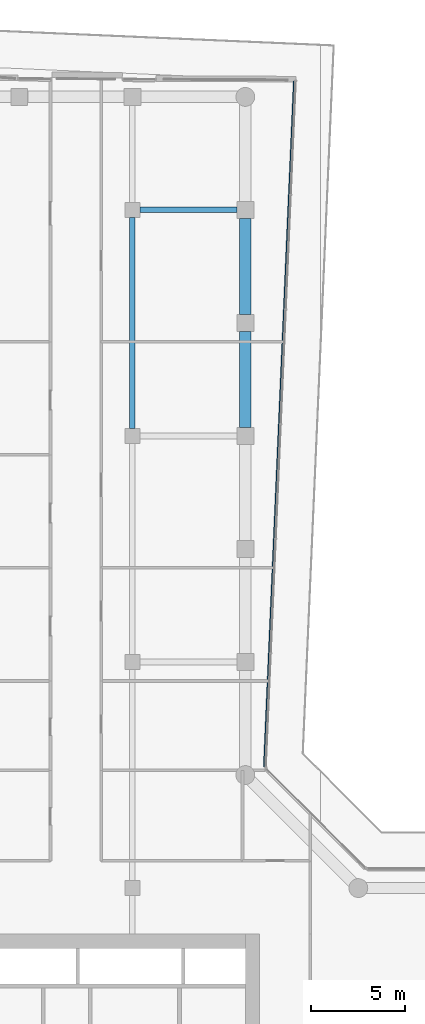
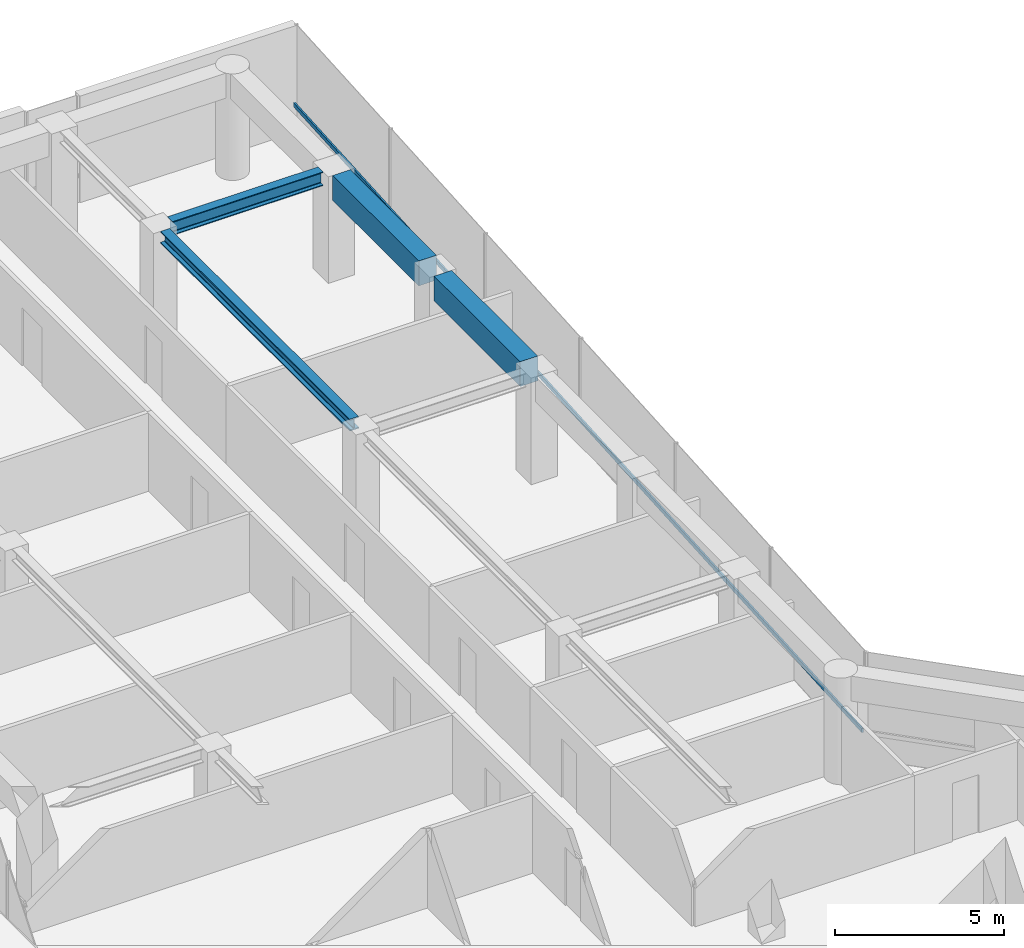
# One storey, part 16 of 25: 4 beams, 1 member, 1 element without a shape of its own.
"""IFC4 building model written with IfcOpenShell, lengths in metres."""

from ifc_helpers import new_model, si_unit, direction, frame, origin, origin_2d, place, context, subcontext, project, spatial, rectangle, i_section, extrude, material, layer, layer_set, material_profile, profile_set, type_object, element, aggregate, save


model = new_model("IFC4")

# Units and contexts
model_context = context("Model", 3, precision=1e-05, world=origin(), true_north=direction((0.0, 1.0)))
body_context = subcontext(model_context, "Body", "Model", "MODEL_VIEW")
ifc_project = project(units=[si_unit("LENGTHUNIT", "METRE"), si_unit("AREAUNIT", "SQUARE_METRE"), si_unit("VOLUMEUNIT", "CUBIC_METRE"), si_unit("PLANEANGLEUNIT", "RADIAN"), si_unit("MASSUNIT", "GRAM", prefix="KILO")], contexts=[model_context])

# Site, building, storey
site_placement = place(None, origin())
site = spatial("IfcSite", under=ifc_project, at=site_placement, CompositionType="ELEMENT")
building_placement = place(site_placement, origin())
building = spatial("IfcBuilding", under=site, at=building_placement, Name="Welwitschia Terrace Campus", CompositionType="ELEMENT")
storey_placement = place(building_placement, frame((0.0, 0.0, 121.39990234375)))
storey = spatial("IfcBuildingStorey", under=building, at=storey_placement, Name="L27", CompositionType="ELEMENT", Elevation=121.39990234375)

# Beams
ifc_material_1 = material(Name="Steel S355", Category="steel")
ifc_material_profile_1 = material_profile(ifc_material_1, i_section(OverallWidth=0.306884765625, OverallDepth=0.431884765625, WebThickness=0.02099609375, FlangeThickness=0.0400390625, FilletRadius=0.027099609375, at=origin_2d()))
ifc_profile_set_1 = profile_set([ifc_material_profile_1], Name="Steel S355")
beam_type_1 = type_object("IfcBeamType", Name="Interior girder HE 400 M", PredefinedType="BEAM", material=ifc_profile_set_1)
beam_1_placement = place(storey_placement, frame((18.0, 52.400390625, 3.634033203125), z_axis=(0.0, 1.0, 0.0), x_axis=(-1.0, 0.0, 0.0)))
element("IfcBeam", 1, at=beam_1_placement, inside=storey, type_object=beam_type_1, Name="Girder GB3", PredefinedType="BEAM", context=body_context, shape_type="SweptSolid", body=[
    extrude(i_section(OverallWidth=0.306884765625, OverallDepth=0.431884765625, WebThickness=0.02099609375, FlangeThickness=0.0400390625, FilletRadius=0.027099609375, at=origin_2d()), origin(), (0.0, 0.0, 1.0), 11.19921875),
])
ifc_material_2 = material(Name="Steel S355", Category="steel")
ifc_material_profile_2 = material_profile(ifc_material_2, i_section(OverallWidth=0.300048828125, OverallDepth=0.5, WebThickness=0.014404296875, FlangeThickness=0.028076171875, FilletRadius=0.027099609375, at=origin_2d()))
ifc_profile_set_2 = profile_set([ifc_material_profile_2], Name="Steel S355")
beam_type_2 = type_object("IfcBeamType", Name="Primary beam HE 500 B", PredefinedType="BEAM", material=ifc_profile_set_2)
beam_2_placement = place(storey_placement, frame((23.549560546875, 64.0, 3.60009765625), z_axis=(-1.0, 0.0, 0.0), x_axis=(0.0, -1.0, 0.0)))
element("IfcBeam", 2, at=beam_2_placement, inside=storey, type_object=beam_type_2, Name="Primary beam PB3", PredefinedType="BEAM", context=body_context, shape_type="SweptSolid", body=[
    extrude(i_section(OverallWidth=0.300048828125, OverallDepth=0.5, WebThickness=0.014404296875, FlangeThickness=0.028076171875, FilletRadius=0.027099609375, at=origin_2d()), origin(), (0.0, 0.0, 1.0), 5.149169921875),
])
ifc_material_3 = material(Name="Concrete C60/75", Category="concrete")
ifc_material_profile_3 = material_profile(ifc_material_3, rectangle(XDim=0.60009765625, YDim=0.89990234375, at=origin_2d()))
ifc_profile_set_3 = profile_set([ifc_material_profile_3], Name="Concrete C60/75")
beam_type_3 = type_object("IfcBeamType", Name="Ring spandrel 600x900", PredefinedType="SPANDREL", material=ifc_profile_set_3)
for number, where, z_axis, x_axis, name in (
    (3, (24.0, 52.450439453125, 3.400146484375), (0.0, 1.0, 0.0), (-1.0, 0.0, 0.0), "Spandrel SP2"),
    (4, (24.0, 58.450439453125, 3.400146484375), (0.0, 1.0, 0.0), (-1.0, 0.0, 0.0), "Spandrel SP2"),
):
    element("IfcBeam", number, at=place(storey_placement, frame(where, z_axis=z_axis, x_axis=x_axis)), inside=storey, type_object=beam_type_3, Name=name, PredefinedType="SPANDREL", context=body_context, shape_type="SweptSolid", body=[
        extrude(rectangle(XDim=0.60009765625, YDim=0.89990234375, at=origin_2d()), origin(), (0.0, 0.0, 1.0), 5.09912109375),
    ])

# Curtain wall, member
ifc_material_4 = material(Name="Bronze anodised aluminium", Category="aluminium")
ifc_layer = layer(ifc_material_4, 0.1201171875)
ifc_layer_set = layer_set([ifc_layer], Name="Bronze anodised aluminium")
curtain_wall_type = type_object("IfcCurtainWallType", Name="Curtain wall CW2 tower 6000", PredefinedType="NOTDEFINED", material=ifc_layer_set)
curtain_wall_placement = place(storey_placement, origin())
curtain_wall = element("IfcCurtainWall", 5, at=curtain_wall_placement, inside=storey, type_object=curtain_wall_type, Name="CW L27.10.0", PredefinedType="NOTDEFINED")
ifc_material_5 = material(Name="Bronze anodised aluminium", Category="aluminium")
ifc_material_profile_4 = material_profile(ifc_material_5, rectangle(XDim=0.06005859375, YDim=0.14990234375, at=origin_2d()))
ifc_profile_set_4 = profile_set([ifc_material_profile_4], Name="Bronze anodised aluminium")
member_type = type_object("IfcMemberType", Name="Transom 60x150", PredefinedType="USERDEFINED", material=ifc_profile_set_4)
member_placement = place(storey_placement, frame((24.9970703125, 34.436279296875, 1.0), z_axis=(0.043616353344, 0.999048354045, 0.0), x_axis=(-0.999048354045, 0.043616353344, 0.0)))
member = element("IfcMember", 6, at=member_placement, type_object=member_type, Name="Transom L27.10.0", ObjectType="TRANSOM", PredefinedType="USERDEFINED", context=body_context, shape_type="SweptSolid", body=[
    extrude(rectangle(XDim=0.06005859375, YDim=0.14990234375, at=origin_2d()), origin(), (0.0, 0.0, 1.0), 36.433837890625),
])
aggregate(curtain_wall, [member])

save(model, "model.ifc")
